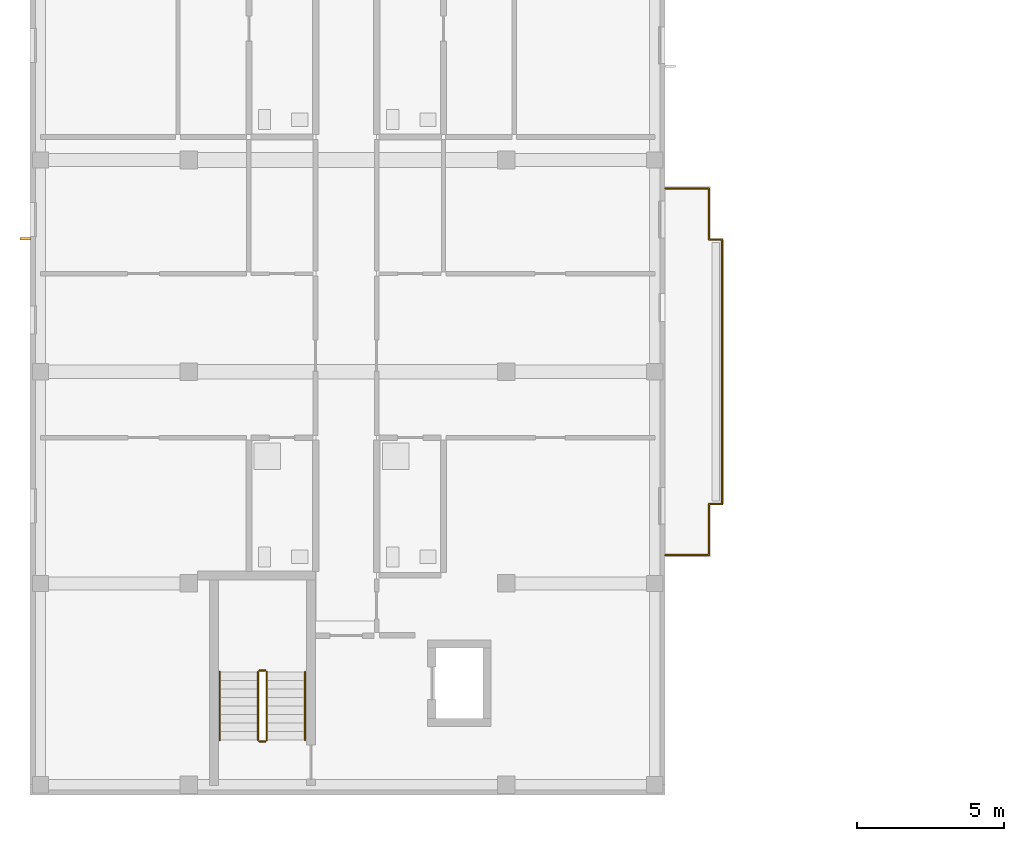
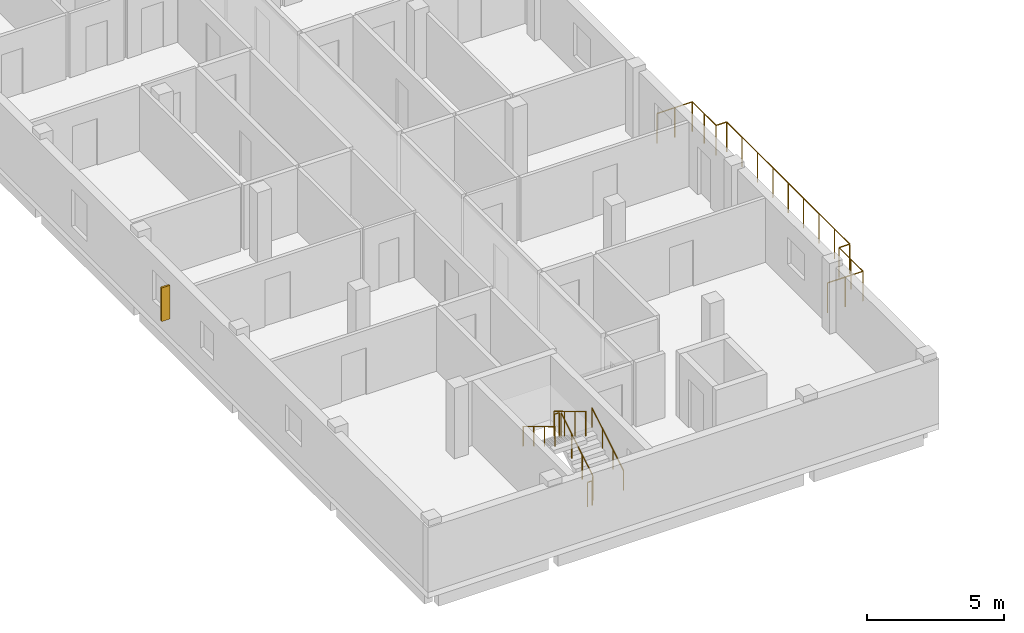
# One storey, part 29 of 41: 7 railings, 1 shading device.
"""IFC4 building model written with IfcOpenShell, lengths in metres."""

from ifc_helpers import new_model, si_unit, derived_unit, direction, frame, origin, origin_2d, place, context, subcontext, project, spatial, rectangle, circle, extrude, material, type_object, element, save


model = new_model("IFC4")

# Units and contexts
model_context = context("Model", 3, precision=1e-05, world=origin(), true_north=direction((0.0, 1.0)))
body_context = subcontext(model_context, "Body", "Model", "MODEL_VIEW")
ifc_project = project(units=[si_unit("LENGTHUNIT", "METRE"), si_unit("AREAUNIT", "SQUARE_METRE"), si_unit("VOLUMEUNIT", "CUBIC_METRE"), si_unit("PLANEANGLEUNIT", "RADIAN"), si_unit("MASSUNIT", "GRAM", prefix="KILO"), derived_unit("THERMALTRANSMITTANCEUNIT", [(si_unit("MASSUNIT", "GRAM", prefix="KILO"), 1), (si_unit("TIMEUNIT", "SECOND"), -3), (si_unit("THERMODYNAMICTEMPERATUREUNIT", "KELVIN"), -1)])], contexts=[model_context])

# Site, building, storey
site_placement = place(None, origin())
site = spatial("IfcSite", under=ifc_project, at=site_placement, CompositionType="ELEMENT")
building_placement = place(site_placement, origin())
building = spatial("IfcBuilding", under=site, at=building_placement, Name="Ochrekiln Boulevard Commons", CompositionType="ELEMENT")
storey_placement = place(building_placement, frame((0.0, 0.0, 21.52490234375)))
storey = spatial("IfcBuildingStorey", under=building, at=storey_placement, Name="L06", CompositionType="ELEMENT", Elevation=21.52490234375)

# Railings
ifc_material_1 = material(Name="Bronze-anodized extruded aluminium 6063-T6", Category="aluminium")
railing_type_1 = type_object("IfcRailingType", Name="RLG-BAL-1350", PredefinedType="BALUSTRADE", material=ifc_material_1)
railing_1_placement = place(storey_placement, frame((21.60009765625, 8.159912109375, 0.0)))
element("IfcRailing", 1, at=railing_1_placement, inside=storey, type_object=railing_type_1, Name="Block D L06 Balcony Guard Balustrade 1", PredefinedType="BALUSTRADE", context=body_context, shape_type="SweptSolid", body=[
    extrude(circle(Radius=0.02392578125, at=origin_2d()), frame((0.0, 0.0, 1.326171875), z_axis=(1.0, 0.0, 0.0), x_axis=(0.0, 1.0, 0.0)), (0.0, 0.0, 1.0), 1.489990234375),
    extrude(circle(Radius=0.02392578125, at=origin_2d()), frame((1.489990234375, 0.0, 1.326171875), z_axis=(0.0, 1.0, 0.0), x_axis=(-1.0, 0.0, 0.0)), (0.0, 0.0, 1.0), 1.739990234375),
    extrude(circle(Radius=0.02392578125, at=origin_2d()), frame((1.489990234375, 1.739990234375, 1.326171875), z_axis=(1.0, 0.0, 0.0), x_axis=(0.0, 1.0, 0.0)), (0.0, 0.0, 1.0), 0.449951171875),
    extrude(circle(Radius=0.02392578125, at=origin_2d()), frame((1.93994140625, 1.739990234375, 1.326171875), z_axis=(0.0, 1.0, 0.0), x_axis=(-1.0, 0.0, 0.0)), (0.0, 0.0, 1.0), 9.0),
    extrude(circle(Radius=0.02392578125, at=origin_2d()), frame((1.93994140625, 10.739990234375, 1.326171875), z_axis=(-1.0, 0.0, 0.0), x_axis=(0.0, -1.0, 0.0)), (0.0, 0.0, 1.0), 0.449951171875),
    extrude(circle(Radius=0.02392578125, at=origin_2d()), frame((1.489990234375, 10.739990234375, 1.326171875), z_axis=(0.0, 1.0, 0.0), x_axis=(-1.0, 0.0, 0.0)), (0.0, 0.0, 1.0), 1.739990234375),
    extrude(circle(Radius=0.02392578125, at=origin_2d()), frame((1.489990234375, 12.47998046875, 1.326171875), z_axis=(-1.0, 0.0, 0.0), x_axis=(0.0, -1.0, 0.0)), (0.0, 0.0, 1.0), 1.489990234375),
    extrude(circle(Radius=0.02099609375, at=origin_2d()), origin(), (0.0, 0.0, 1.0), 1.302001953125),
    extrude(circle(Radius=0.02099609375, at=origin_2d()), frame((0.7451171875, 0.0, 0.0)), (0.0, 0.0, 1.0), 1.302001953125),
    extrude(circle(Radius=0.02099609375, at=origin_2d()), frame((1.489990234375, 0.0, 0.0)), (0.0, 0.0, 1.0), 1.302001953125),
    extrude(circle(Radius=0.02099609375, at=origin_2d()), frame((1.489990234375, 0.8701171875, 0.0)), (0.0, 0.0, 1.0), 1.302001953125),
    extrude(circle(Radius=0.02099609375, at=origin_2d()), frame((1.489990234375, 1.739990234375, 0.0)), (0.0, 0.0, 1.0), 1.302001953125),
    extrude(circle(Radius=0.02099609375, at=origin_2d()), frame((1.93994140625, 1.739990234375, 0.0)), (0.0, 0.0, 1.0), 1.302001953125),
    extrude(circle(Radius=0.02099609375, at=origin_2d()), frame((1.93994140625, 2.864990234375, 0.0)), (0.0, 0.0, 1.0), 1.302001953125),
    extrude(circle(Radius=0.02099609375, at=origin_2d()), frame((1.93994140625, 3.989990234375, 0.0)), (0.0, 0.0, 1.0), 1.302001953125),
    extrude(circle(Radius=0.02099609375, at=origin_2d()), frame((1.93994140625, 5.114990234375, 0.0)), (0.0, 0.0, 1.0), 1.302001953125),
    extrude(circle(Radius=0.02099609375, at=origin_2d()), frame((1.93994140625, 6.239990234375, 0.0)), (0.0, 0.0, 1.0), 1.302001953125),
    extrude(circle(Radius=0.02099609375, at=origin_2d()), frame((1.93994140625, 7.364990234375, 0.0)), (0.0, 0.0, 1.0), 1.302001953125),
    extrude(circle(Radius=0.02099609375, at=origin_2d()), frame((1.93994140625, 8.489990234375, 0.0)), (0.0, 0.0, 1.0), 1.302001953125),
    extrude(circle(Radius=0.02099609375, at=origin_2d()), frame((1.93994140625, 9.614990234375, 0.0)), (0.0, 0.0, 1.0), 1.302001953125),
    extrude(circle(Radius=0.02099609375, at=origin_2d()), frame((1.93994140625, 10.739990234375, 0.0)), (0.0, 0.0, 1.0), 1.302001953125),
    extrude(circle(Radius=0.02099609375, at=origin_2d()), frame((1.489990234375, 10.739990234375, 0.0)), (0.0, 0.0, 1.0), 1.302001953125),
    extrude(circle(Radius=0.02099609375, at=origin_2d()), frame((1.489990234375, 11.60986328125, 0.0)), (0.0, 0.0, 1.0), 1.302001953125),
    extrude(circle(Radius=0.02099609375, at=origin_2d()), frame((1.489990234375, 12.47998046875, 0.0)), (0.0, 0.0, 1.0), 1.302001953125),
    extrude(circle(Radius=0.02099609375, at=origin_2d()), frame((0.7451171875, 12.47998046875, 0.0)), (0.0, 0.0, 1.0), 1.302001953125),
    extrude(circle(Radius=0.02099609375, at=origin_2d()), frame((0.0, 12.47998046875, 0.0)), (0.0, 0.0, 1.0), 1.302001953125),
])
ifc_material_2 = material(Name="Brushed stainless steel 316 tubular railing", Category="steel")
railing_type_2 = type_object("IfcRailingType", Name="RLG-HDR-900", PredefinedType="HANDRAIL", material=ifc_material_2)
railing_2_placement = place(storey_placement, frame((9.35009765625, 1.8701171875, 0.175048828125)))
element("IfcRailing", 2, at=railing_2_placement, inside=storey, type_object=railing_type_2, Name="L06 ST-D1 stair handrail 1", PredefinedType="HANDRAIL", context=body_context, shape_type="SweptSolid", body=[
    extrude(circle(Radius=0.02392578125, at=origin_2d()), frame((0.0, 0.0, 0.8759765625), z_axis=(0.0, 0.856146426353, 0.516733293531), x_axis=(-1.0, 0.0, 0.0)), (0.0, 0.0, 1.0), 2.709716796875),
    extrude(circle(Radius=0.02099609375, at=origin_2d()), origin(), (0.0, 0.0, 1.0), 0.851806640625),
    extrude(circle(Radius=0.02099609375, at=origin_2d()), frame((0.0, 0.773193359375, 0.466796875)), (0.0, 0.0, 1.0), 0.851806640625),
    extrude(circle(Radius=0.02099609375, at=origin_2d()), frame((0.0, 1.546630859375, 0.933349609375)), (0.0, 0.0, 1.0), 0.851806640625),
    extrude(circle(Radius=0.02099609375, at=origin_2d()), frame((0.0, 2.31982421875, 1.400146484375)), (0.0, 0.0, 1.0), 0.851806640625),
])
railing_3_placement = place(storey_placement, frame((6.449951171875, 4.18994140625, 1.75)))
element("IfcRailing", 3, at=railing_3_placement, inside=storey, type_object=railing_type_2, Name="L06 ST-D1 stair handrail 2", PredefinedType="HANDRAIL", context=body_context, shape_type="SweptSolid", body=[
    extrude(circle(Radius=0.02392578125, at=origin_2d()), frame((0.0, 0.0, 0.8759765625), z_axis=(0.0, -0.856146426353, 0.516733293531), x_axis=(1.0, 0.0, 0.0)), (0.0, 0.0, 1.0), 2.709716796875),
    extrude(circle(Radius=0.02099609375, at=origin_2d()), origin(), (0.0, 0.0, 1.0), 0.851806640625),
    extrude(circle(Radius=0.02099609375, at=origin_2d()), frame((0.0, -0.773193359375, 0.466796875)), (0.0, 0.0, 1.0), 0.851806640625),
    extrude(circle(Radius=0.02099609375, at=origin_2d()), frame((0.0, -1.546630859375, 0.933349609375)), (0.0, 0.0, 1.0), 0.851806640625),
    extrude(circle(Radius=0.02099609375, at=origin_2d()), frame((0.0, -2.31982421875, 1.400146484375)), (0.0, 0.0, 1.0), 0.851806640625),
])
railing_type_3 = type_object("IfcRailingType", Name="RLG-STR-1120", PredefinedType="BALUSTRADE", material=ifc_material_2)
railing_4_placement = place(storey_placement, frame((8.050048828125, 1.8701171875, 0.175048828125)))
element("IfcRailing", 4, at=railing_4_placement, inside=storey, type_object=railing_type_3, Name="L06 ST-D1 stair guard 1", PredefinedType="BALUSTRADE", context=body_context, shape_type="SweptSolid", body=[
    extrude(circle(Radius=0.02392578125, at=origin_2d()), frame((0.0, 0.0, 1.09619140625), z_axis=(0.0, 0.856146426353, 0.516733293531), x_axis=(-1.0, 0.0, 0.0)), (0.0, 0.0, 1.0), 2.709716796875),
    extrude(circle(Radius=0.02099609375, at=origin_2d()), origin(), (0.0, 0.0, 1.0), 1.072021484375),
    extrude(circle(Radius=0.02099609375, at=origin_2d()), frame((0.0, 0.773193359375, 0.466796875)), (0.0, 0.0, 1.0), 1.072021484375),
    extrude(circle(Radius=0.02099609375, at=origin_2d()), frame((0.0, 1.546630859375, 0.933349609375)), (0.0, 0.0, 1.0), 1.072021484375),
    extrude(circle(Radius=0.02099609375, at=origin_2d()), frame((0.0, 2.31982421875, 1.400146484375)), (0.0, 0.0, 1.0), 1.072021484375),
])
railing_5_placement = place(storey_placement, frame((8.0, 4.239990234375, 1.5751953125)))
element("IfcRailing", 5, at=railing_5_placement, inside=storey, type_object=railing_type_3, Name="L06 ST-D1 stair guard 2", PredefinedType="BALUSTRADE", context=body_context, shape_type="SweptSolid", body=[
    extrude(circle(Radius=0.02392578125, at=origin_2d()), frame((0.0, 0.0, 1.09619140625), z_axis=(-1.0, 0.0, 0.0), x_axis=(0.0, -1.0, 0.0)), (0.0, 0.0, 1.0), 0.199951171875),
    extrude(circle(Radius=0.02099609375, at=origin_2d()), origin(), (0.0, 0.0, 1.0), 1.072021484375),
    extrude(circle(Radius=0.02099609375, at=origin_2d()), frame((-0.199951171875, 0.0, 0.0)), (0.0, 0.0, 1.0), 1.072021484375),
])
railing_6_placement = place(storey_placement, frame((7.75, 4.18994140625, 1.75)))
element("IfcRailing", 6, at=railing_6_placement, inside=storey, type_object=railing_type_3, Name="L06 ST-D1 stair guard 3", PredefinedType="BALUSTRADE", context=body_context, shape_type="SweptSolid", body=[
    extrude(circle(Radius=0.02392578125, at=origin_2d()), frame((0.0, 0.0, 1.09619140625), z_axis=(0.0, -0.856146426353, 0.516733293531), x_axis=(1.0, 0.0, 0.0)), (0.0, 0.0, 1.0), 2.709716796875),
    extrude(circle(Radius=0.02099609375, at=origin_2d()), origin(), (0.0, 0.0, 1.0), 1.072021484375),
    extrude(circle(Radius=0.02099609375, at=origin_2d()), frame((0.0, -0.773193359375, 0.466796875)), (0.0, 0.0, 1.0), 1.072021484375),
    extrude(circle(Radius=0.02099609375, at=origin_2d()), frame((0.0, -1.546630859375, 0.933349609375)), (0.0, 0.0, 1.0), 1.072021484375),
    extrude(circle(Radius=0.02099609375, at=origin_2d()), frame((0.0, -2.31982421875, 1.400146484375)), (0.0, 0.0, 1.0), 1.072021484375),
])
railing_7_placement = place(storey_placement, frame((8.0, 1.820068359375, 0.0)))
element("IfcRailing", 7, at=railing_7_placement, inside=storey, type_object=railing_type_3, Name="L06 ST-D1 stair guard 4", PredefinedType="BALUSTRADE", context=body_context, shape_type="SweptSolid", body=[
    extrude(circle(Radius=0.02392578125, at=origin_2d()), frame((0.0, 0.0, 1.09619140625), z_axis=(-1.0, 0.0, 0.0), x_axis=(0.0, -1.0, 0.0)), (0.0, 0.0, 1.0), 0.199951171875),
    extrude(circle(Radius=0.02099609375, at=origin_2d()), origin(), (0.0, 0.0, 1.0), 1.072021484375),
    extrude(circle(Radius=0.02099609375, at=origin_2d()), frame((-0.199951171875, 0.0, 0.0)), (0.0, 0.0, 1.0), 1.072021484375),
])

# Shading device
ifc_material_3 = material(Name="Glazed architectural terracotta ASTM C1405", Category="masonry")
shading_device_type = type_object("IfcShadingDeviceType", Name="SHD-FIN-TERRA", PredefinedType="JALOUSIE", material=ifc_material_3)
shading_device_placement = place(storey_placement, frame((-0.169921875, 18.919921875, 0.780029296875), z_axis=(0.0, 0.0, 1.0), x_axis=(1.0, 0.0, 0.0)))
element("IfcShadingDevice", 8, at=shading_device_placement, inside=storey, type_object=shading_device_type, Name="Terracotta Solar Shading Fin SF-01 (82)", PredefinedType="JALOUSIE", context=body_context, shape_type="SweptSolid", body=[
    extrude(rectangle(XDim=0.35009765625, YDim=0.080078125, at=origin_2d()), origin(), (0.0, 0.0, 1.0), 1.5),
])

save(model, "model.ifc")
